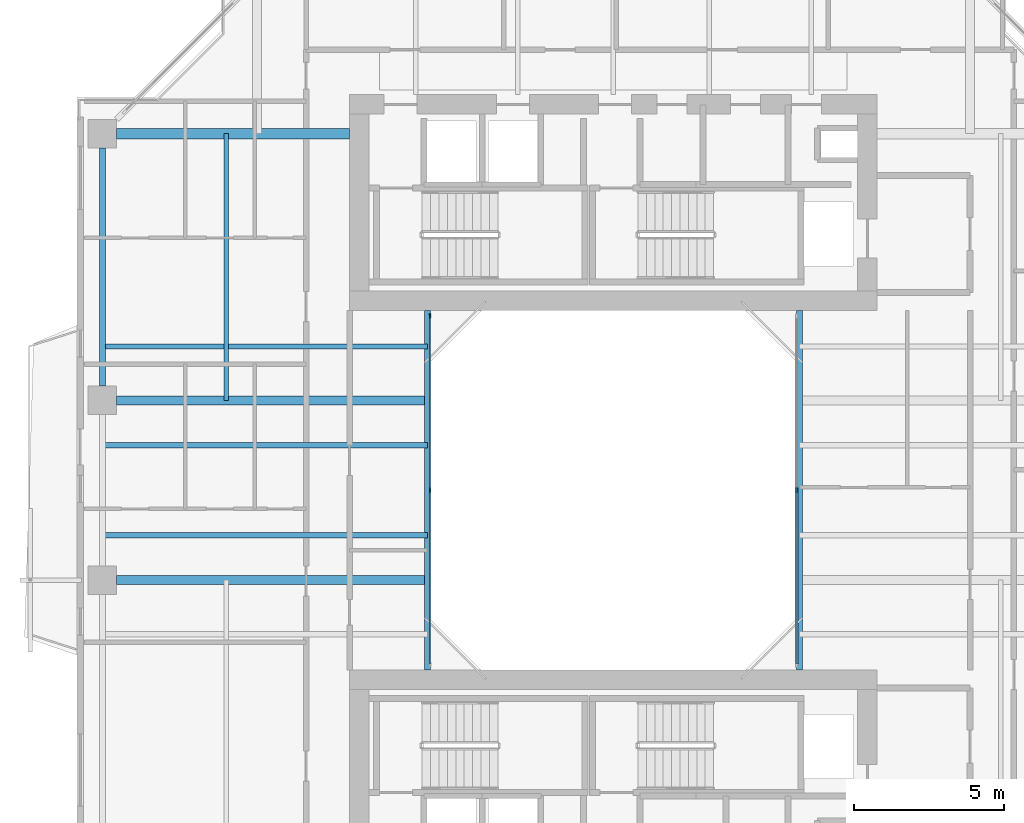
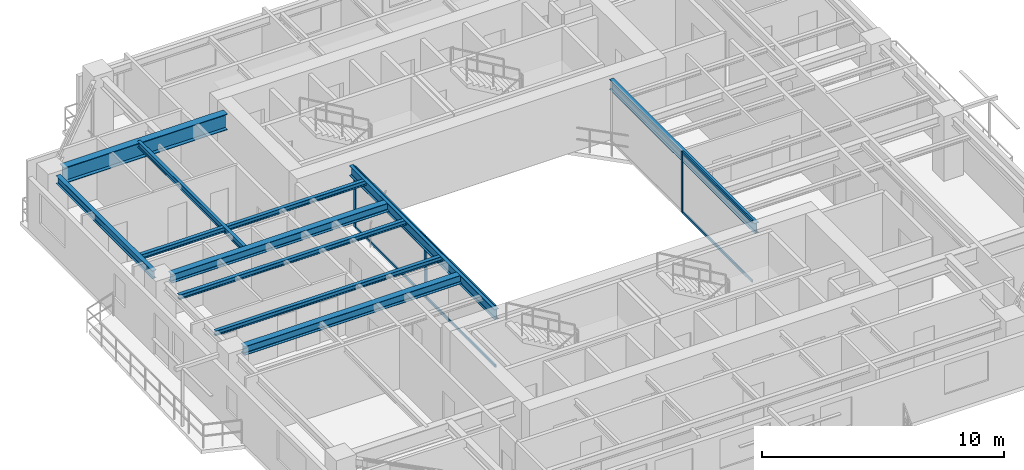
# One storey, part 5 of 17: 10 beams, 9 members, 2 elements without a shape of their own.
"""IFC4 building model written with IfcOpenShell, lengths in metres."""

from ifc_helpers import new_model, si_unit, direction, frame, origin, origin_2d, place, context, subcontext, project, spatial, rectangle, i_section, extrude, source, transform, mapped, material, layer, layer_set, material_profile, profile_set, type_object, element, aggregate, save


model = new_model("IFC4")

# Units and contexts
model_context = context("Model", 3, precision=1e-05, world=origin(), true_north=direction((0.0, 1.0)))
body_context = subcontext(model_context, "Body", "Model", "MODEL_VIEW")
ifc_project = project(units=[si_unit("LENGTHUNIT", "METRE"), si_unit("AREAUNIT", "SQUARE_METRE"), si_unit("VOLUMEUNIT", "CUBIC_METRE"), si_unit("PLANEANGLEUNIT", "RADIAN"), si_unit("MASSUNIT", "GRAM", prefix="KILO"), si_unit("THERMODYNAMICTEMPERATUREUNIT", "KELVIN"), si_unit("POWERUNIT", "WATT")], contexts=[model_context])

# Site, building, storey
site_placement = place(None, origin())
site = spatial("IfcSite", under=ifc_project, at=site_placement, CompositionType="ELEMENT")
building_placement = place(site_placement, origin())
building = spatial("IfcBuilding", under=site, at=building_placement, Name="Qiaomeng Ring Towers", CompositionType="ELEMENT")
storey_placement = place(building_placement, frame((0.0, 0.0, 150.25)))
storey = spatial("IfcBuildingStorey", under=building, at=storey_placement, Name="L43", CompositionType="ELEMENT", Elevation=150.25)

# Beams
ifc_material_1 = material(Name="Steel Q355B", Category="steel")
ifc_material_profile_1 = material_profile(ifc_material_1, i_section(OverallWidth=0.199951171875, OverallDepth=0.5, WebThickness=0.010009765625, FlangeThickness=0.01611328125, FilletRadius=0.02001953125, at=origin_2d()), Name="HN 500x200x10x16")
ifc_profile_set_1 = profile_set([ifc_material_profile_1], Name="Steel Q355B")
beam_type_1 = type_object("IfcBeamType", Name="STR-BM-HN500", PredefinedType="BEAM", material=ifc_profile_set_1)
shared_shape_1 = source(origin(), body_context, "Body", "SweptSolid", [
    extrude(i_section(OverallWidth=0.199951171875, OverallDepth=0.5, WebThickness=0.010009765625, FlangeThickness=0.01611328125, FilletRadius=0.02001953125, at=origin_2d()), origin(), (0.0, 0.0, 1.0), 12.0),
])
for number, where, z_axis, x_axis, name in (
    (1, (12.800048828125, 17.0, 2.820068359375), (0.0, 1.0, 0.0), (-1.0, 0.0, 0.0), "L43 beam STR-BM-L43-WELL-W"),
    (2, (25.199951171875, 17.0, 2.820068359375), (0.0, 1.0, 0.0), (-1.0, 0.0, 0.0), "L43 beam STR-BM-L43-WELL-E"),
):
    element("IfcBeam", number, at=place(storey_placement, frame(where, z_axis=z_axis, x_axis=x_axis)), inside=storey, type_object=beam_type_1, Name=name, PredefinedType="BEAM", context=body_context, shape_type="MappedRepresentation", body=[
        mapped(shared_shape_1, transform((0.0, 0.0, 0.0), x_axis=(1.0, 0.0, 0.0), y_axis=(0.0, 1.0, 0.0), z_axis=(0.0, 0.0, 1.0), scale=1.0)),
    ])
ifc_material_profile_2 = material_profile(ifc_material_1, i_section(OverallWidth=0.175048828125, OverallDepth=0.243896484375, WebThickness=0.007080078125, FlangeThickness=0.010986328125, FilletRadius=0.01611328125, at=origin_2d()), Name="HM 244x175x7x11")
ifc_profile_set_2 = profile_set([ifc_material_profile_2], Name="Steel Q355B")
beam_type_2 = type_object("IfcBeamType", Name="STR-BM-HM244", PredefinedType="JOIST", material=ifc_profile_set_2)
shared_shape_2 = source(origin(), body_context, "Body", "SweptSolid", [
    extrude(i_section(OverallWidth=0.175048828125, OverallDepth=0.243896484375, WebThickness=0.007080078125, FlangeThickness=0.010986328125, FilletRadius=0.01611328125, at=origin_2d()), origin(), (0.0, 0.0, 1.0), 10.85009765625),
])
for number, where, z_axis, x_axis, name in (
    (3, (1.949951171875, 21.5, 2.947998046875), (1.0, 0.0, 0.0), (0.0, 1.0, 0.0), "L43 beam STR-JST-L43-T1W-2"),
    (4, (1.949951171875, 24.5, 2.947998046875), (1.0, 0.0, 0.0), (0.0, 1.0, 0.0), "L43 beam STR-JST-L43-T1W-3"),
    (5, (1.949951171875, 27.800048828125, 2.947998046875), (1.0, 0.0, 0.0), (0.0, 1.0, 0.0), "L43 beam STR-JST-L43-T1W-4"),
):
    element("IfcBeam", number, at=place(storey_placement, frame(where, z_axis=z_axis, x_axis=x_axis)), inside=storey, type_object=beam_type_2, Name=name, PredefinedType="JOIST", context=body_context, shape_type="MappedRepresentation", body=[
        mapped(shared_shape_2, transform((0.0, 0.0, 0.0), x_axis=(1.0, 0.0, 0.0), y_axis=(0.0, 1.0, 0.0), z_axis=(0.0, 0.0, 1.0), scale=1.0)),
    ])
ifc_material_profile_3 = material_profile(ifc_material_1, i_section(OverallWidth=0.14990234375, OverallDepth=0.300048828125, WebThickness=0.006591796875, FlangeThickness=0.009033203125, FilletRadius=0.012939453125, at=origin_2d()), Name="HN 300x150x6.5x9")
ifc_profile_set_3 = profile_set([ifc_material_profile_3], Name="Steel Q355B")
beam_type_3 = type_object("IfcBeamType", Name="STR-BM-HN300", PredefinedType="JOIST", material=ifc_profile_set_3)
shared_shape_3 = source(origin(), body_context, "Body", "SweptSolid", [
    extrude(i_section(OverallWidth=0.14990234375, OverallDepth=0.300048828125, WebThickness=0.006591796875, FlangeThickness=0.009033203125, FilletRadius=0.012939453125, at=origin_2d()), origin(), (0.0, 0.0, 1.0), 8.89990234375),
])
beam_1_placement = place(storey_placement, frame((6.074951171875, 26.0, 2.919921875), z_axis=(0.0, 1.0, 0.0), x_axis=(-1.0, 0.0, 0.0)))
element("IfcBeam", 6, at=beam_1_placement, inside=storey, type_object=beam_type_3, Name="L43 beam STR-JST-L43-T1C-WN", PredefinedType="JOIST", context=body_context, shape_type="MappedRepresentation", body=[
    mapped(shared_shape_3, transform((0.0, 0.0, 0.0), x_axis=(1.0, 0.0, 0.0), y_axis=(0.0, 1.0, 0.0), z_axis=(0.0, 0.0, 1.0), scale=1.0)),
])
ifc_material_profile_4 = material_profile(ifc_material_1, i_section(OverallWidth=0.199951171875, OverallDepth=0.39990234375, WebThickness=0.008056640625, FlangeThickness=0.012939453125, FilletRadius=0.01611328125, at=origin_2d()), Name="HN 400x200x8x13")
ifc_profile_set_4 = profile_set([ifc_material_profile_4], Name="Steel Q355B")
beam_type_4 = type_object("IfcBeamType", Name="STR-BM-HN400", PredefinedType="SPANDREL", material=ifc_profile_set_4)
shared_shape_4 = source(origin(), body_context, "Body", "SweptSolid", [
    extrude(i_section(OverallWidth=0.199951171875, OverallDepth=0.39990234375, WebThickness=0.008056640625, FlangeThickness=0.012939453125, FilletRadius=0.01611328125, at=origin_2d()), origin(), (0.0, 0.0, 1.0), 7.951904296875),
])
beam_2_placement = place(storey_placement, frame((1.949951171875, 34.426025390625, 2.8701171875), z_axis=(0.0, -1.0, 0.0), x_axis=(1.0, 0.0, 0.0)))
element("IfcBeam", 7, at=beam_2_placement, inside=storey, type_object=beam_type_4, Name="L43 beam STR-SP-L43-T1-W4-W3", PredefinedType="SPANDREL", context=body_context, shape_type="MappedRepresentation", body=[
    mapped(shared_shape_4, transform((0.0, 0.0, 0.0), x_axis=(1.0, 0.0, 0.0), y_axis=(0.0, 1.0, 0.0), z_axis=(0.0, 0.0, 1.0), scale=1.0)),
])
ifc_material_2 = material(Name="Steel Q390GJC", Category="steel")
ifc_material_profile_5 = material_profile(ifc_material_2, i_section(OverallWidth=0.35009765625, OverallDepth=0.800048828125, WebThickness=0.01611328125, FlangeThickness=0.028076171875, at=origin_2d()), Name="WH 800x350x16x28")
ifc_profile_set_5 = profile_set([ifc_material_profile_5], Name="Steel Q390GJC")
beam_type_5 = type_object("IfcBeamType", Name="STR-BM-WH800", PredefinedType="BEAM", material=ifc_profile_set_5)
shared_shape_5 = source(origin(), body_context, "Body", "SweptSolid", [
    extrude(i_section(OverallWidth=0.35009765625, OverallDepth=0.800048828125, WebThickness=0.01611328125, FlangeThickness=0.028076171875, at=origin_2d()), origin(), (0.0, 0.0, 1.0), 7.77587890625),
])
beam_3_placement = place(storey_placement, frame((2.424072265625, 34.89990234375, 2.669921875), z_axis=(1.0, 0.0, 0.0), x_axis=(0.0, 1.0, 0.0)))
element("IfcBeam", 8, at=beam_3_placement, inside=storey, type_object=beam_type_5, Name="L43 beam STR-BM-L43-T1-RAD-W4", PredefinedType="BEAM", context=body_context, shape_type="MappedRepresentation", body=[
    mapped(shared_shape_5, transform((0.0, 0.0, 0.0), x_axis=(1.0, 0.0, 0.0), y_axis=(0.0, 1.0, 0.0), z_axis=(0.0, 0.0, 1.0), scale=1.0)),
])
ifc_material_profile_6 = material_profile(ifc_material_1, i_section(OverallWidth=0.300048828125, OverallDepth=0.43994140625, WebThickness=0.010986328125, FlangeThickness=0.01806640625, FilletRadius=0.02392578125, at=origin_2d()), Name="HM 440x300x11x18")
ifc_profile_set_6 = profile_set([ifc_material_profile_6], Name="Steel Q355B")
beam_type_6 = type_object("IfcBeamType", Name="STR-BM-HM440", PredefinedType="BEAM", material=ifc_profile_set_6)
shared_shape_6 = source(origin(), body_context, "Body", "SweptSolid", [
    extrude(i_section(OverallWidth=0.300048828125, OverallDepth=0.43994140625, WebThickness=0.010986328125, FlangeThickness=0.01806640625, FilletRadius=0.02392578125, at=origin_2d()), origin(), (0.0, 0.0, 1.0), 10.3759765625),
])
for number, where, z_axis, x_axis, name in (
    (9, (2.424072265625, 20.0, 2.85009765625), (1.0, 0.0, 0.0), (0.0, 1.0, 0.0), "L43 beam STR-BM-L43-T1-RAD-W2"),
    (10, (2.424072265625, 26.0, 2.85009765625), (1.0, 0.0, 0.0), (0.0, 1.0, 0.0), "L43 beam STR-BM-L43-T1-RAD-W3"),
):
    element("IfcBeam", number, at=place(storey_placement, frame(where, z_axis=z_axis, x_axis=x_axis)), inside=storey, type_object=beam_type_6, Name=name, PredefinedType="BEAM", context=body_context, shape_type="MappedRepresentation", body=[
        mapped(shared_shape_6, transform((0.0, 0.0, 0.0), x_axis=(1.0, 0.0, 0.0), y_axis=(0.0, 1.0, 0.0), z_axis=(0.0, 0.0, 1.0), scale=1.0)),
    ])

# Curtain wall, members
ifc_material_3 = material(Name="Fluorocarbon dark-grey aluminium", Category="aluminium")
ifc_layer = layer(ifc_material_3, 0.139892578125, Name="Fluorocarbon dark-grey aluminium")
ifc_layer_set = layer_set([ifc_layer], Name="Fluorocarbon dark-grey aluminium")
curtain_wall_type = type_object("IfcCurtainWallType", Name="ARC-CW-4", PredefinedType="NOTDEFINED", material=ifc_layer_set)
curtain_wall_1_placement = place(storey_placement, origin())
curtain_wall_1 = element("IfcCurtainWall", 11, at=curtain_wall_1_placement, inside=storey, type_object=curtain_wall_type, Name="L43 Curtain Wall CW4", PredefinedType="NOTDEFINED")
ifc_material_profile_7 = material_profile(ifc_material_3, rectangle(XDim=0.06494140625, YDim=0.159912109375, at=origin_2d()), Name="ALU MULL 65x160")
ifc_profile_set_7 = profile_set([ifc_material_profile_7], Name="Fluorocarbon dark-grey aluminium")
member_type_1 = type_object("IfcMemberType", Name="ARC-CWM-140", PredefinedType="MULLION", material=ifc_profile_set_7)
shared_shape_7 = source(origin(), body_context, "Body", "SweptSolid", [
    extrude(rectangle(XDim=0.06494140625, YDim=0.159912109375, at=origin_2d()), origin(), (0.0, 0.0, 1.0), 3.070068359375),
])
member_1_placement = place(storey_placement, frame((12.8798828125, 23.0, 0.0), z_axis=(0.0, 0.0, 1.0), x_axis=(-1.0, 0.0, 0.0)))
member_1 = element("IfcMember", 12, at=member_1_placement, type_object=member_type_1, Name="CW4 mullion 2", PredefinedType="MULLION", context=body_context, shape_type="MappedRepresentation", body=[
    mapped(shared_shape_7, transform((0.0, 0.0, 0.0), x_axis=(1.0, 0.0, 0.0), y_axis=(0.0, 1.0, 0.0), z_axis=(0.0, 0.0, 1.0), scale=1.0)),
])
member_2_placement = place(storey_placement, frame((12.8798828125, 28.8173828125, 0.0), z_axis=(0.0, 0.0, 1.0), x_axis=(-1.0, 0.0, 0.0)))
member_2 = element("IfcMember", 13, at=member_2_placement, type_object=member_type_1, Name="CW4 mullion 3", PredefinedType="MULLION", context=body_context, shape_type="MappedRepresentation", body=[
    mapped(shared_shape_7, transform((0.0, 0.0, 0.0), x_axis=(1.0, 0.0, 0.0), y_axis=(0.0, 1.0, 0.0), z_axis=(0.0, 0.0, 1.0), scale=1.0)),
])

# Curtain wall, member
curtain_wall_2_placement = place(storey_placement, origin())
curtain_wall_2 = element("IfcCurtainWall", 14, at=curtain_wall_2_placement, inside=storey, type_object=curtain_wall_type, Name="L43 Curtain Wall CW4", PredefinedType="NOTDEFINED")
member_3_placement = place(storey_placement, frame((25.1201171875, 23.0, 0.0), z_axis=(0.0, 0.0, 1.0), x_axis=(-1.0, 0.0, 0.0)))
member_3 = element("IfcMember", 15, at=member_3_placement, type_object=member_type_1, Name="CW4 mullion 2", PredefinedType="MULLION", context=body_context, shape_type="MappedRepresentation", body=[
    mapped(shared_shape_7, transform((0.0, 0.0, 0.0), x_axis=(1.0, 0.0, 0.0), y_axis=(0.0, 1.0, 0.0), z_axis=(0.0, 0.0, 1.0), scale=1.0)),
])

# Member
ifc_material_profile_8 = material_profile(ifc_material_3, rectangle(XDim=0.06494140625, YDim=0.1298828125, at=origin_2d()), Name="ALU TRAN 65x130")
ifc_profile_set_8 = profile_set([ifc_material_profile_8], Name="Fluorocarbon dark-grey aluminium")
member_type_2 = type_object("IfcMemberType", Name="ARC-CWT-120", PredefinedType="USERDEFINED", material=ifc_profile_set_8)
shared_shape_8 = source(origin(), body_context, "Body", "SweptSolid", [
    extrude(rectangle(XDim=0.06494140625, YDim=0.1298828125, at=origin_2d()), origin(), (0.0, 0.0, 1.0), 5.75244140625),
])
member_4_placement = place(storey_placement, frame((12.8798828125, 17.215087890625, 0.032470703125), z_axis=(0.0, 1.0, 0.0), x_axis=(-1.0, 0.0, 0.0)))
member_4 = element("IfcMember", 16, at=member_4_placement, type_object=member_type_2, Name="CW4 transom 1.1", ObjectType="TRANSOM", PredefinedType="USERDEFINED", context=body_context, shape_type="MappedRepresentation", body=[
    mapped(shared_shape_8, transform((0.0, 0.0, 0.0), x_axis=(1.0, 0.0, 0.0), y_axis=(0.0, 1.0, 0.0), z_axis=(0.0, 0.0, 1.0), scale=1.0)),
])

member_5_placement = place(storey_placement, frame((12.8798828125, 17.215087890625, 3.03759765625), z_axis=(0.0, 1.0, 0.0), x_axis=(-1.0, 0.0, 0.0)))
member_5 = element("IfcMember", 17, at=member_5_placement, type_object=member_type_2, Name="CW4 transom 1.2", ObjectType="TRANSOM", PredefinedType="USERDEFINED", context=body_context, shape_type="MappedRepresentation", body=[
    mapped(shared_shape_8, transform((0.0, 0.0, 0.0), x_axis=(1.0, 0.0, 0.0), y_axis=(0.0, 1.0, 0.0), z_axis=(0.0, 0.0, 1.0), scale=1.0)),
])

member_6_placement = place(storey_placement, frame((12.8798828125, 23.032470703125, 0.032470703125), z_axis=(0.0, 1.0, 0.0), x_axis=(-1.0, 0.0, 0.0)))
member_6 = element("IfcMember", 18, at=member_6_placement, type_object=member_type_2, Name="CW4 transom 2.1", ObjectType="TRANSOM", PredefinedType="USERDEFINED", context=body_context, shape_type="MappedRepresentation", body=[
    mapped(shared_shape_8, transform((0.0, 0.0, 0.0), x_axis=(1.0, 0.0, 0.0), y_axis=(0.0, 1.0, 0.0), z_axis=(0.0, 0.0, 1.0), scale=1.0)),
])

member_7_placement = place(storey_placement, frame((12.8798828125, 23.032470703125, 3.03759765625), z_axis=(0.0, 1.0, 0.0), x_axis=(-1.0, 0.0, 0.0)))
member_7 = element("IfcMember", 19, at=member_7_placement, type_object=member_type_2, Name="CW4 transom 2.2", ObjectType="TRANSOM", PredefinedType="USERDEFINED", context=body_context, shape_type="MappedRepresentation", body=[
    mapped(shared_shape_8, transform((0.0, 0.0, 0.0), x_axis=(1.0, 0.0, 0.0), y_axis=(0.0, 1.0, 0.0), z_axis=(0.0, 0.0, 1.0), scale=1.0)),
])

aggregate(curtain_wall_1, [member_1, member_2, member_4, member_5, member_6, member_7])

member_8_placement = place(storey_placement, frame((25.1201171875, 17.215087890625, 0.032470703125), z_axis=(0.0, 1.0, 0.0), x_axis=(-1.0, 0.0, 0.0)))
member_8 = element("IfcMember", 20, at=member_8_placement, type_object=member_type_2, Name="CW4 transom 1.1", ObjectType="TRANSOM", PredefinedType="USERDEFINED", context=body_context, shape_type="MappedRepresentation", body=[
    mapped(shared_shape_8, transform((0.0, 0.0, 0.0), x_axis=(1.0, 0.0, 0.0), y_axis=(0.0, 1.0, 0.0), z_axis=(0.0, 0.0, 1.0), scale=1.0)),
])

member_9_placement = place(storey_placement, frame((25.1201171875, 17.215087890625, 3.03759765625), z_axis=(0.0, 1.0, 0.0), x_axis=(-1.0, 0.0, 0.0)))
member_9 = element("IfcMember", 21, at=member_9_placement, type_object=member_type_2, Name="CW4 transom 1.2", ObjectType="TRANSOM", PredefinedType="USERDEFINED", context=body_context, shape_type="MappedRepresentation", body=[
    mapped(shared_shape_8, transform((0.0, 0.0, 0.0), x_axis=(1.0, 0.0, 0.0), y_axis=(0.0, 1.0, 0.0), z_axis=(0.0, 0.0, 1.0), scale=1.0)),
])

aggregate(curtain_wall_2, [member_3, member_8, member_9])

save(model, "model.ifc")
